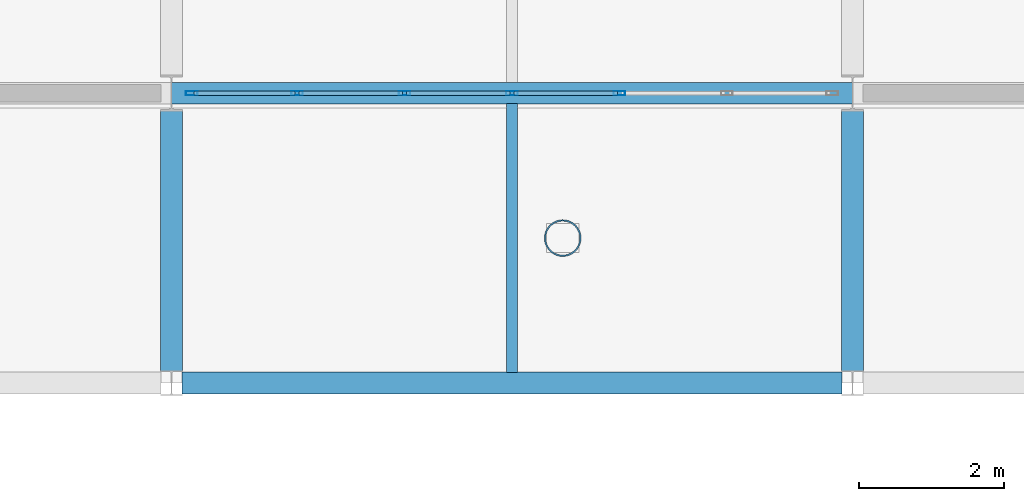
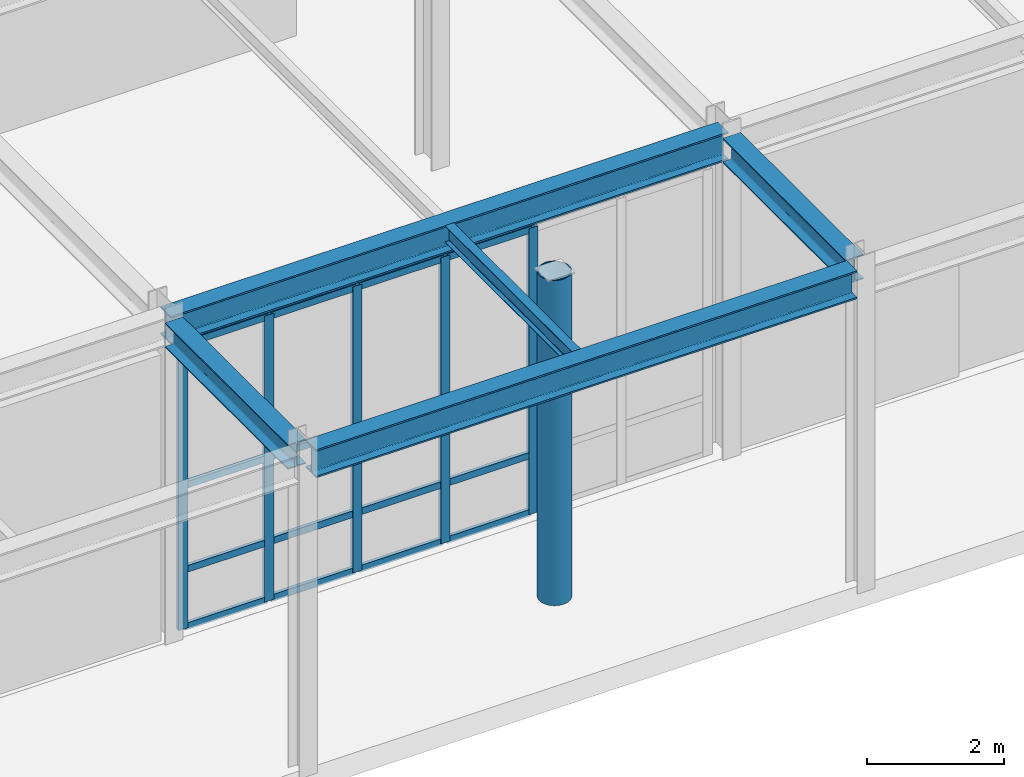
# One storey, part 72 of 146: 22 members, 5 beams, 1 element without a shape of its own.
"""IFC4 building model written with IfcOpenShell, lengths in metres."""

from ifc_helpers import new_model, si_unit, direction, frame, origin, origin_2d, place, context, subcontext, project, spatial, hollow_rectangle, hollow_circle, i_section, extrude, material, material_profile, profile_set, type_object, element, aggregate, save


model = new_model("IFC4")

# Units and contexts
model_context = context("Model", 3, precision=1e-05, world=origin(), true_north=direction((0.0, 1.0)))
body_context = subcontext(model_context, "Body", "Model", "MODEL_VIEW")
ifc_project = project(units=[si_unit("LENGTHUNIT", "METRE"), si_unit("AREAUNIT", "SQUARE_METRE"), si_unit("VOLUMEUNIT", "CUBIC_METRE"), si_unit("PLANEANGLEUNIT", "RADIAN"), si_unit("MASSUNIT", "GRAM", prefix="KILO")], contexts=[model_context])

# Site, building, storey
site_placement = place(None, origin())
site = spatial("IfcSite", under=ifc_project, at=site_placement, CompositionType="ELEMENT")
building_placement = place(site_placement, origin())
building = spatial("IfcBuilding", under=site, at=building_placement, Name="Kaldris Quays Convention Centre", CompositionType="ELEMENT")
storey_placement = place(building_placement, origin())
storey = spatial("IfcBuildingStorey", under=building, at=storey_placement, Name="L00", CompositionType="ELEMENT", Elevation=0.0)

# Curtain wall, members
ifc_material_1 = material(Name="Anodized aluminium AW-6060 and triple glazing", Category="aluminium")
curtain_wall_type = type_object("IfcCurtainWallType", Name="UNITISED CURTAIN WALL CW01", PredefinedType="NOTDEFINED", material=ifc_material_1)
curtain_wall_placement = place(storey_placement, origin())
curtain_wall = element("IfcCurtainWall", 1, at=curtain_wall_placement, inside=storey, type_object=curtain_wall_type, Name="L00 Unitised Curtain Wall CW01 180", PredefinedType="NOTDEFINED")
ifc_material_2 = material(Name="Anodized aluminium AW-6060", Category="aluminium")
ifc_material_profile_1 = material_profile(ifc_material_2, hollow_rectangle(XDim=0.06005859375, YDim=0.159912109375, WallThickness=0.00390625, at=origin_2d()), Name="RHS 160x60x4")
ifc_profile_set_1 = profile_set([ifc_material_profile_1], Name="Anodized aluminium AW-6060")
member_type_1 = type_object("IfcMemberType", Name="CURTAIN MULLION CWM1", PredefinedType="MULLION", material=ifc_profile_set_1)
member_1_placement = place(storey_placement, frame((164.8798828125, 20.0, 0.0), z_axis=(0.0, 0.0, 1.0), x_axis=(0.0, 1.0, 0.0)))
member_1 = element("IfcMember", 2, at=member_1_placement, type_object=member_type_1, Name="CW01 mullion 1", PredefinedType="MULLION", context=body_context, shape_type="SweptSolid", body=[
    extrude(hollow_rectangle(XDim=0.06005859375, YDim=0.159912109375, WallThickness=0.00390625, at=origin_2d()), origin(), (0.0, 0.0, 1.0), 5.10009765625),
])
member_2_placement = place(storey_placement, frame((166.333251953125, 20.0, 0.0), z_axis=(0.0, 0.0, 1.0), x_axis=(0.0, 1.0, 0.0)))
member_2 = element("IfcMember", 3, at=member_2_placement, type_object=member_type_1, Name="CW01 mullion 2", PredefinedType="MULLION", context=body_context, shape_type="SweptSolid", body=[
    extrude(hollow_rectangle(XDim=0.06005859375, YDim=0.159912109375, WallThickness=0.00390625, at=origin_2d()), origin(), (0.0, 0.0, 1.0), 5.10009765625),
])
member_3_placement = place(storey_placement, frame((167.816650390625, 20.0, 0.0), z_axis=(0.0, 0.0, 1.0), x_axis=(0.0, 1.0, 0.0)))
member_3 = element("IfcMember", 4, at=member_3_placement, type_object=member_type_1, Name="CW01 mullion 3", PredefinedType="MULLION", context=body_context, shape_type="SweptSolid", body=[
    extrude(hollow_rectangle(XDim=0.06005859375, YDim=0.159912109375, WallThickness=0.00390625, at=origin_2d()), origin(), (0.0, 0.0, 1.0), 5.10009765625),
])
member_4_placement = place(storey_placement, frame((169.300048828125, 20.0, 0.0), z_axis=(0.0, 0.0, 1.0), x_axis=(0.0, 1.0, 0.0)))
member_4 = element("IfcMember", 5, at=member_4_placement, type_object=member_type_1, Name="CW01 mullion 4", PredefinedType="MULLION", context=body_context, shape_type="SweptSolid", body=[
    extrude(hollow_rectangle(XDim=0.06005859375, YDim=0.159912109375, WallThickness=0.00390625, at=origin_2d()), origin(), (0.0, 0.0, 1.0), 5.10009765625),
])
member_5_placement = place(storey_placement, frame((170.783447265625, 20.0, 0.0), z_axis=(0.0, 0.0, 1.0), x_axis=(0.0, 1.0, 0.0)))
member_5 = element("IfcMember", 6, at=member_5_placement, type_object=member_type_1, Name="CW01 mullion 5", PredefinedType="MULLION", context=body_context, shape_type="SweptSolid", body=[
    extrude(hollow_rectangle(XDim=0.06005859375, YDim=0.159912109375, WallThickness=0.00390625, at=origin_2d()), origin(), (0.0, 0.0, 1.0), 5.10009765625),
])
ifc_material_profile_2 = material_profile(ifc_material_2, hollow_rectangle(XDim=0.06005859375, YDim=0.1201171875, WallThickness=0.00390625, at=origin_2d()), Name="RHS 120x60x4")
ifc_profile_set_2 = profile_set([ifc_material_profile_2], Name="Anodized aluminium AW-6060")
member_type_2 = type_object("IfcMemberType", Name="CURTAIN TRANSOM CWT1", PredefinedType="USERDEFINED", material=ifc_profile_set_2)
member_6_placement = place(storey_placement, frame((164.909912109375, 20.0, 0.030029296875), z_axis=(1.0, 0.0, 0.0), x_axis=(0.0, 1.0, 0.0)))
member_6 = element("IfcMember", 7, at=member_6_placement, type_object=member_type_2, Name="CW01 transom 1.1", ObjectType="TRANSOM", PredefinedType="USERDEFINED", context=body_context, shape_type="SweptSolid", body=[
    extrude(hollow_rectangle(XDim=0.06005859375, YDim=0.1201171875, WallThickness=0.00390625, at=origin_2d()), origin(), (0.0, 0.0, 1.0), 1.393310546875),
])
member_7_placement = place(storey_placement, frame((164.909912109375, 20.0, 1.050048828125), z_axis=(1.0, 0.0, 0.0), x_axis=(0.0, 1.0, 0.0)))
member_7 = element("IfcMember", 8, at=member_7_placement, type_object=member_type_2, Name="CW01 transom 1.2", ObjectType="TRANSOM", PredefinedType="USERDEFINED", context=body_context, shape_type="SweptSolid", body=[
    extrude(hollow_rectangle(XDim=0.06005859375, YDim=0.1201171875, WallThickness=0.00390625, at=origin_2d()), origin(), (0.0, 0.0, 1.0), 1.393310546875),
])
member_8_placement = place(storey_placement, frame((164.909912109375, 20.0, 2.550048828125), z_axis=(1.0, 0.0, 0.0), x_axis=(0.0, 1.0, 0.0)))
member_8 = element("IfcMember", 9, at=member_8_placement, type_object=member_type_2, Name="CW01 transom 1.3", ObjectType="TRANSOM", PredefinedType="USERDEFINED", context=body_context, shape_type="SweptSolid", body=[
    extrude(hollow_rectangle(XDim=0.06005859375, YDim=0.1201171875, WallThickness=0.00390625, at=origin_2d()), origin(), (0.0, 0.0, 1.0), 1.393310546875),
])
member_9_placement = place(storey_placement, frame((164.909912109375, 20.0, 5.070068359375), z_axis=(1.0, 0.0, 0.0), x_axis=(0.0, 1.0, 0.0)))
member_9 = element("IfcMember", 10, at=member_9_placement, type_object=member_type_2, Name="CW01 transom 1.4", ObjectType="TRANSOM", PredefinedType="USERDEFINED", context=body_context, shape_type="SweptSolid", body=[
    extrude(hollow_rectangle(XDim=0.06005859375, YDim=0.1201171875, WallThickness=0.00390625, at=origin_2d()), origin(), (0.0, 0.0, 1.0), 1.393310546875),
])
member_10_placement = place(storey_placement, frame((166.36328125, 20.0, 0.030029296875), z_axis=(1.0, 0.0, 0.0), x_axis=(0.0, 1.0, 0.0)))
member_10 = element("IfcMember", 11, at=member_10_placement, type_object=member_type_2, Name="CW01 transom 2.1", ObjectType="TRANSOM", PredefinedType="USERDEFINED", context=body_context, shape_type="SweptSolid", body=[
    extrude(hollow_rectangle(XDim=0.06005859375, YDim=0.1201171875, WallThickness=0.00390625, at=origin_2d()), origin(), (0.0, 0.0, 1.0), 1.42333984375),
])
member_11_placement = place(storey_placement, frame((166.36328125, 20.0, 1.050048828125), z_axis=(1.0, 0.0, 0.0), x_axis=(0.0, 1.0, 0.0)))
member_11 = element("IfcMember", 12, at=member_11_placement, type_object=member_type_2, Name="CW01 transom 2.2", ObjectType="TRANSOM", PredefinedType="USERDEFINED", context=body_context, shape_type="SweptSolid", body=[
    extrude(hollow_rectangle(XDim=0.06005859375, YDim=0.1201171875, WallThickness=0.00390625, at=origin_2d()), origin(), (0.0, 0.0, 1.0), 1.42333984375),
])
member_12_placement = place(storey_placement, frame((166.36328125, 20.0, 2.550048828125), z_axis=(1.0, 0.0, 0.0), x_axis=(0.0, 1.0, 0.0)))
member_12 = element("IfcMember", 13, at=member_12_placement, type_object=member_type_2, Name="CW01 transom 2.3", ObjectType="TRANSOM", PredefinedType="USERDEFINED", context=body_context, shape_type="SweptSolid", body=[
    extrude(hollow_rectangle(XDim=0.06005859375, YDim=0.1201171875, WallThickness=0.00390625, at=origin_2d()), origin(), (0.0, 0.0, 1.0), 1.42333984375),
])
member_13_placement = place(storey_placement, frame((166.36328125, 20.0, 5.070068359375), z_axis=(1.0, 0.0, 0.0), x_axis=(0.0, 1.0, 0.0)))
member_13 = element("IfcMember", 14, at=member_13_placement, type_object=member_type_2, Name="CW01 transom 2.4", ObjectType="TRANSOM", PredefinedType="USERDEFINED", context=body_context, shape_type="SweptSolid", body=[
    extrude(hollow_rectangle(XDim=0.06005859375, YDim=0.1201171875, WallThickness=0.00390625, at=origin_2d()), origin(), (0.0, 0.0, 1.0), 1.42333984375),
])
member_14_placement = place(storey_placement, frame((167.8466796875, 20.0, 0.030029296875), z_axis=(1.0, 0.0, 0.0), x_axis=(0.0, 1.0, 0.0)))
member_14 = element("IfcMember", 15, at=member_14_placement, type_object=member_type_2, Name="CW01 transom 3.1", ObjectType="TRANSOM", PredefinedType="USERDEFINED", context=body_context, shape_type="SweptSolid", body=[
    extrude(hollow_rectangle(XDim=0.06005859375, YDim=0.1201171875, WallThickness=0.00390625, at=origin_2d()), origin(), (0.0, 0.0, 1.0), 1.42333984375),
])
member_15_placement = place(storey_placement, frame((167.8466796875, 20.0, 1.050048828125), z_axis=(1.0, 0.0, 0.0), x_axis=(0.0, 1.0, 0.0)))
member_15 = element("IfcMember", 16, at=member_15_placement, type_object=member_type_2, Name="CW01 transom 3.2", ObjectType="TRANSOM", PredefinedType="USERDEFINED", context=body_context, shape_type="SweptSolid", body=[
    extrude(hollow_rectangle(XDim=0.06005859375, YDim=0.1201171875, WallThickness=0.00390625, at=origin_2d()), origin(), (0.0, 0.0, 1.0), 1.42333984375),
])
member_16_placement = place(storey_placement, frame((167.8466796875, 20.0, 2.550048828125), z_axis=(1.0, 0.0, 0.0), x_axis=(0.0, 1.0, 0.0)))
member_16 = element("IfcMember", 17, at=member_16_placement, type_object=member_type_2, Name="CW01 transom 3.3", ObjectType="TRANSOM", PredefinedType="USERDEFINED", context=body_context, shape_type="SweptSolid", body=[
    extrude(hollow_rectangle(XDim=0.06005859375, YDim=0.1201171875, WallThickness=0.00390625, at=origin_2d()), origin(), (0.0, 0.0, 1.0), 1.42333984375),
])
member_17_placement = place(storey_placement, frame((167.8466796875, 20.0, 5.070068359375), z_axis=(1.0, 0.0, 0.0), x_axis=(0.0, 1.0, 0.0)))
member_17 = element("IfcMember", 18, at=member_17_placement, type_object=member_type_2, Name="CW01 transom 3.4", ObjectType="TRANSOM", PredefinedType="USERDEFINED", context=body_context, shape_type="SweptSolid", body=[
    extrude(hollow_rectangle(XDim=0.06005859375, YDim=0.1201171875, WallThickness=0.00390625, at=origin_2d()), origin(), (0.0, 0.0, 1.0), 1.42333984375),
])
member_18_placement = place(storey_placement, frame((169.330078125, 20.0, 0.030029296875), z_axis=(1.0, 0.0, 0.0), x_axis=(0.0, 1.0, 0.0)))
member_18 = element("IfcMember", 19, at=member_18_placement, type_object=member_type_2, Name="CW01 transom 4.1", ObjectType="TRANSOM", PredefinedType="USERDEFINED", context=body_context, shape_type="SweptSolid", body=[
    extrude(hollow_rectangle(XDim=0.06005859375, YDim=0.1201171875, WallThickness=0.00390625, at=origin_2d()), origin(), (0.0, 0.0, 1.0), 1.42333984375),
])
member_19_placement = place(storey_placement, frame((169.330078125, 20.0, 1.050048828125), z_axis=(1.0, 0.0, 0.0), x_axis=(0.0, 1.0, 0.0)))
member_19 = element("IfcMember", 20, at=member_19_placement, type_object=member_type_2, Name="CW01 transom 4.2", ObjectType="TRANSOM", PredefinedType="USERDEFINED", context=body_context, shape_type="SweptSolid", body=[
    extrude(hollow_rectangle(XDim=0.06005859375, YDim=0.1201171875, WallThickness=0.00390625, at=origin_2d()), origin(), (0.0, 0.0, 1.0), 1.42333984375),
])
member_20_placement = place(storey_placement, frame((169.330078125, 20.0, 2.550048828125), z_axis=(1.0, 0.0, 0.0), x_axis=(0.0, 1.0, 0.0)))
member_20 = element("IfcMember", 21, at=member_20_placement, type_object=member_type_2, Name="CW01 transom 4.3", ObjectType="TRANSOM", PredefinedType="USERDEFINED", context=body_context, shape_type="SweptSolid", body=[
    extrude(hollow_rectangle(XDim=0.06005859375, YDim=0.1201171875, WallThickness=0.00390625, at=origin_2d()), origin(), (0.0, 0.0, 1.0), 1.42333984375),
])
member_21_placement = place(storey_placement, frame((169.330078125, 20.0, 5.070068359375), z_axis=(1.0, 0.0, 0.0), x_axis=(0.0, 1.0, 0.0)))
member_21 = element("IfcMember", 22, at=member_21_placement, type_object=member_type_2, Name="CW01 transom 4.4", ObjectType="TRANSOM", PredefinedType="USERDEFINED", context=body_context, shape_type="SweptSolid", body=[
    extrude(hollow_rectangle(XDim=0.06005859375, YDim=0.1201171875, WallThickness=0.00390625, at=origin_2d()), origin(), (0.0, 0.0, 1.0), 1.42333984375),
])
aggregate(curtain_wall, [member_1, member_2, member_3, member_4, member_5, member_6, member_7, member_8, member_9, member_10, member_11, member_12, member_13, member_14, member_15, member_16, member_17, member_18, member_19, member_20, member_21])

# Beams
ifc_material_3 = material(Name="Steel S355J2", Category="steel")
ifc_material_profile_3 = material_profile(ifc_material_3, i_section(OverallWidth=0.300048828125, OverallDepth=0.5, WebThickness=0.014404296875, FlangeThickness=0.028076171875, FilletRadius=0.027099609375, at=origin_2d()), Name="HEB 500")
ifc_profile_set_3 = profile_set([ifc_material_profile_3], Name="Steel S355J2")
beam_type_1 = type_object("IfcBeamType", Name="STRUCTURAL BEAM BM06", PredefinedType="BEAM", material=ifc_profile_set_3)
beam_1_placement = place(storey_placement, frame((164.743896484375, 16.0, 5.4951171875), z_axis=(1.0, 0.0, 0.0), x_axis=(0.0, 1.0, 0.0)))
element("IfcBeam", 23, at=beam_1_placement, inside=storey, type_object=beam_type_1, Name="L00 Girder BM06 2", PredefinedType="BEAM", context=body_context, shape_type="SweptSolid", body=[
    extrude(i_section(OverallWidth=0.300048828125, OverallDepth=0.5, WebThickness=0.014404296875, FlangeThickness=0.028076171875, FilletRadius=0.027099609375, at=origin_2d()), origin(), (0.0, 0.0, 1.0), 9.112060546875),
])
beam_2_placement = place(storey_placement, frame((164.601318359375, 20.0, 5.492919921875), z_axis=(1.0, 0.0, 0.0), x_axis=(0.0, 1.0, 0.0)))
element("IfcBeam", 24, at=beam_2_placement, inside=storey, type_object=beam_type_1, Name="L00 Girder BM06 7", PredefinedType="BEAM", context=body_context, shape_type="SweptSolid", body=[
    extrude(i_section(OverallWidth=0.300048828125, OverallDepth=0.5, WebThickness=0.014404296875, FlangeThickness=0.028076171875, FilletRadius=0.027099609375, at=origin_2d()), origin(), (0.0, 0.0, 1.0), 9.3974609375),
])
ifc_material_profile_4 = material_profile(ifc_material_3, i_section(OverallWidth=0.300048828125, OverallDepth=0.43994140625, WebThickness=0.011474609375, FlangeThickness=0.02099609375, FilletRadius=0.027099609375, at=origin_2d()), Name="HEA 450")
ifc_profile_set_4 = profile_set([ifc_material_profile_4], Name="Steel S355J2")
beam_type_2 = type_object("IfcBeamType", Name="STRUCTURAL BEAM BM14", PredefinedType="BEAM", material=ifc_profile_set_4)
for number, where, z_axis, x_axis, name in (
    (25, (164.60009765625, 16.1689453125, 5.52294921875), (0.0, 1.0, 0.0), (-1.0, 0.0, 0.0), "L00 Girder BM14 24"),
    (26, (174.0, 16.1689453125, 5.52294921875), (0.0, 1.0, 0.0), (-1.0, 0.0, 0.0), "L00 Girder BM14 27"),
):
    element("IfcBeam", number, at=place(storey_placement, frame(where, z_axis=z_axis, x_axis=x_axis)), inside=storey, type_object=beam_type_2, Name=name, PredefinedType="BEAM", context=body_context, shape_type="SweptSolid", body=[
        extrude(i_section(OverallWidth=0.300048828125, OverallDepth=0.43994140625, WebThickness=0.011474609375, FlangeThickness=0.02099609375, FilletRadius=0.027099609375, at=origin_2d()), origin(), (0.0, 0.0, 1.0), 3.587158203125),
    ])
ifc_material_profile_5 = material_profile(ifc_material_3, i_section(OverallWidth=0.14990234375, OverallDepth=0.300048828125, WebThickness=0.007080078125, FlangeThickness=0.0107421875, FilletRadius=0.014892578125, at=origin_2d()), Name="IPE 300")
ifc_profile_set_5 = profile_set([ifc_material_profile_5], Name="Steel S355J2")
beam_type_3 = type_object("IfcBeamType", Name="STRUCTURAL BEAM JT04", PredefinedType="JOIST", material=ifc_profile_set_5)
beam_3_placement = place(storey_placement, frame((169.300048828125, 16.14404296875, 5.593017578125), z_axis=(0.0, 1.0, 0.0), x_axis=(-1.0, 0.0, 0.0)))
element("IfcBeam", 27, at=beam_3_placement, inside=storey, type_object=beam_type_3, Name="L00 Secondary Joist JT04 2", PredefinedType="JOIST", context=body_context, shape_type="SweptSolid", body=[
    extrude(i_section(OverallWidth=0.14990234375, OverallDepth=0.300048828125, WebThickness=0.007080078125, FlangeThickness=0.0107421875, FilletRadius=0.014892578125, at=origin_2d()), origin(), (0.0, 0.0, 1.0), 3.7119140625),
])

# Member
ifc_material_4 = material(Name="Steel S355J2H", Category="steel")
ifc_material_profile_6 = material_profile(ifc_material_4, hollow_circle(Radius=0.25390625, WallThickness=0.02001953125, at=origin_2d()), Name="CHS 508x20")
ifc_profile_set_6 = profile_set([ifc_material_profile_6], Name="Steel S355J2H")
member_type_3 = type_object("IfcMemberType", Name="STRUCTURAL MEMBER MP01", PredefinedType="POST", material=ifc_profile_set_6)
member_22_placement = place(storey_placement, frame((170.0, 18.0, 0.0), z_axis=(0.0, 0.0, 1.0), x_axis=(1.0, 0.0, 0.0)))
element("IfcMember", 28, at=member_22_placement, inside=storey, type_object=member_type_3, Name="L00 Riverfront Colonnade Tubular Post MP01 2", PredefinedType="POST", context=body_context, shape_type="SweptSolid", body=[
    extrude(hollow_circle(Radius=0.25390625, WallThickness=0.02001953125, at=origin_2d()), origin(), (0.0, 0.0, 1.0), 5.794921875),
])

save(model, "model.ifc")
